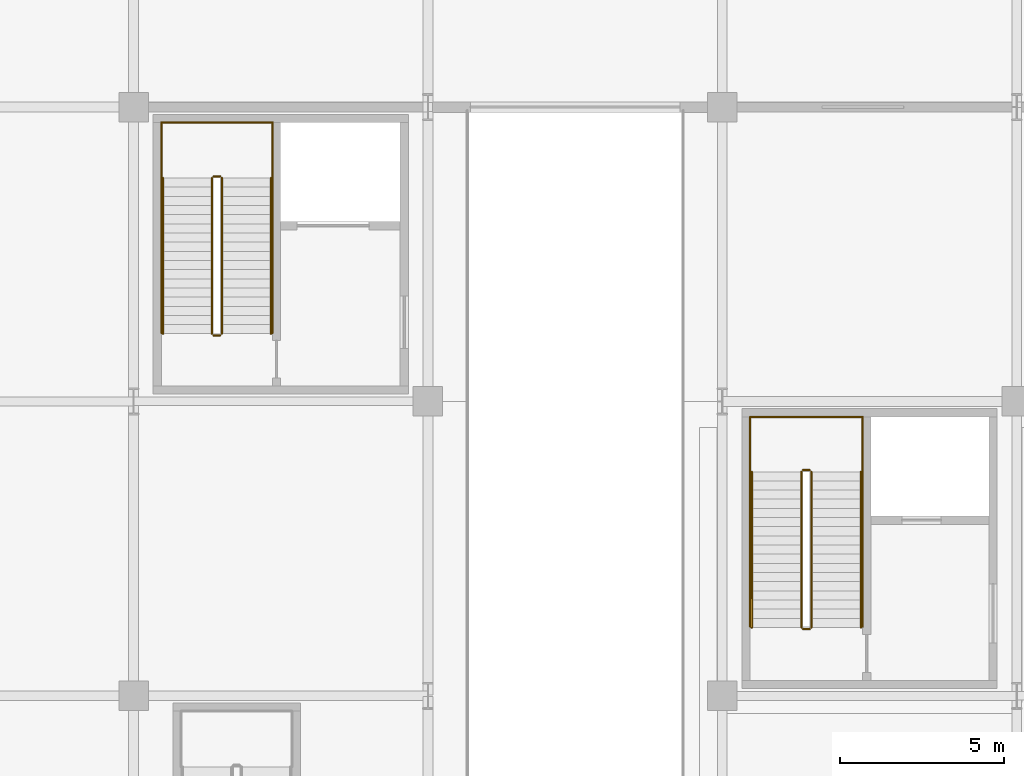
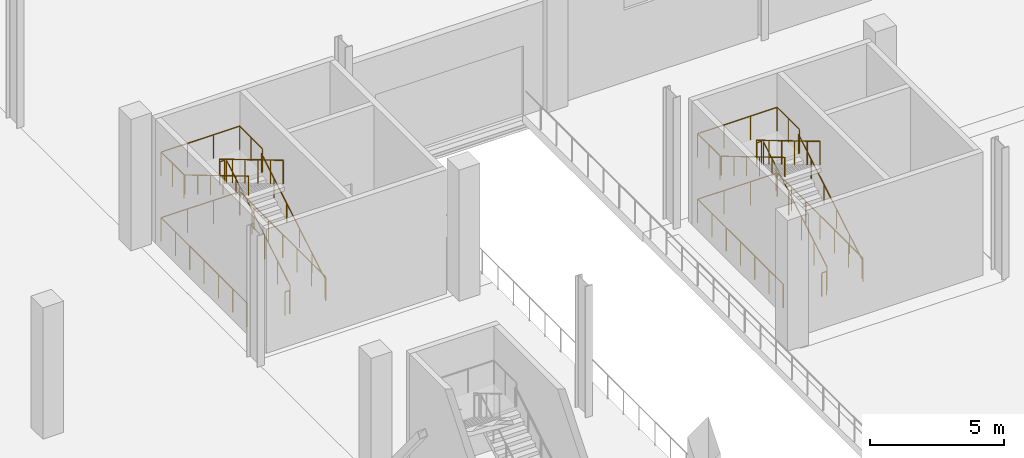
# One storey, part 54 of 58: 24 railings.
"""IFC4 building model written with IfcOpenShell, lengths in metres."""

from ifc_helpers import new_model, si_unit, direction, frame, origin, origin_2d, place, context, subcontext, project, spatial, circle, extrude, material, type_object, element, save


model = new_model("IFC4")

# Units and contexts
model_context = context("Model", 3, precision=1e-05, world=origin(), true_north=direction((0.0, 1.0)))
body_context = subcontext(model_context, "Body", "Model", "MODEL_VIEW")
ifc_project = project(units=[si_unit("LENGTHUNIT", "METRE"), si_unit("AREAUNIT", "SQUARE_METRE"), si_unit("VOLUMEUNIT", "CUBIC_METRE"), si_unit("PLANEANGLEUNIT", "RADIAN"), si_unit("MASSUNIT", "GRAM", prefix="KILO")], contexts=[model_context])

# Site, building, storey
site_placement = place(None, origin())
site = spatial("IfcSite", under=ifc_project, at=site_placement, CompositionType="ELEMENT")
building_placement = place(site_placement, origin())
building = spatial("IfcBuilding", under=site, at=building_placement, Name="Barlavento Convention Centre", CompositionType="ELEMENT")
storey_placement = place(building_placement, origin())
storey = spatial("IfcBuildingStorey", under=building, at=storey_placement, Name="L00", CompositionType="ELEMENT", Elevation=0.0)

# Railings
ifc_material_1 = material(Name="Stainless steel and laminated glass balustrade", Category="steel")
railing_type_1 = type_object("IfcRailingType", Name="ARC-RAL-BAL-1100", PredefinedType="BALUSTRADE", material=ifc_material_1)
railing_1_placement = place(storey_placement, frame((146.719970703125, 92.090087890625, 0.166748046875)))
element("IfcRailing", 1, at=railing_1_placement, inside=storey, type_object=railing_type_1, Name="L00 ST09 stair guard 1", PredefinedType="BALUSTRADE", context=body_context, shape_type="SweptSolid", body=[
    extrude(circle(Radius=0.02392578125, at=origin_2d()), frame((0.0, 0.0, 1.076171875), z_axis=(0.0, 0.859299802514, 0.511472237174), x_axis=(-1.0, 0.0, 0.0)), (0.0, 0.0, 1.0), 5.539306640625),
    extrude(circle(Radius=0.02099609375, at=origin_2d()), origin(), (0.0, 0.0, 1.0), 1.052001953125),
    extrude(circle(Radius=0.02099609375, at=origin_2d()), frame((0.0, 0.951904296875, 0.566650390625)), (0.0, 0.0, 1.0), 1.052001953125),
    extrude(circle(Radius=0.02099609375, at=origin_2d()), frame((0.0, 1.904052734375, 1.13330078125)), (0.0, 0.0, 1.0), 1.052001953125),
    extrude(circle(Radius=0.02099609375, at=origin_2d()), frame((0.0, 2.85595703125, 1.699951171875)), (0.0, 0.0, 1.0), 1.052001953125),
    extrude(circle(Radius=0.02099609375, at=origin_2d()), frame((0.0, 3.80810546875, 2.2666015625)), (0.0, 0.0, 1.0), 1.052001953125),
    extrude(circle(Radius=0.02099609375, at=origin_2d()), frame((0.0, 4.760009765625, 2.833251953125)), (0.0, 0.0, 1.0), 1.052001953125),
])
railing_2_placement = place(storey_placement, frame((146.669921875, 96.89990234375, 3.0)))
element("IfcRailing", 2, at=railing_2_placement, inside=storey, type_object=railing_type_1, Name="L00 ST09 stair guard 2", PredefinedType="BALUSTRADE", context=body_context, shape_type="SweptSolid", body=[
    extrude(circle(Radius=0.02392578125, at=origin_2d()), frame((0.0, 0.0, 1.076171875), z_axis=(-1.0, 0.0, 0.0), x_axis=(0.0, -1.0, 0.0)), (0.0, 0.0, 1.0), 0.199951171875),
    extrude(circle(Radius=0.02099609375, at=origin_2d()), origin(), (0.0, 0.0, 1.0), 1.052001953125),
    extrude(circle(Radius=0.02099609375, at=origin_2d()), frame((-0.199951171875, 0.0, 0.0)), (0.0, 0.0, 1.0), 1.052001953125),
])
railing_3_placement = place(storey_placement, frame((146.419921875, 96.85009765625, 3.166748046875)))
element("IfcRailing", 3, at=railing_3_placement, inside=storey, type_object=railing_type_1, Name="L00 ST09 stair guard 3", PredefinedType="BALUSTRADE", context=body_context, shape_type="SweptSolid", body=[
    extrude(circle(Radius=0.02392578125, at=origin_2d()), frame((0.0, 0.0, 1.076171875), z_axis=(0.0, -0.859299802514, 0.511472237174), x_axis=(1.0, 0.0, 0.0)), (0.0, 0.0, 1.0), 5.539306640625),
    extrude(circle(Radius=0.02099609375, at=origin_2d()), origin(), (0.0, 0.0, 1.0), 1.052001953125),
    extrude(circle(Radius=0.02099609375, at=origin_2d()), frame((0.0, -0.951904296875, 0.566650390625)), (0.0, 0.0, 1.0), 1.052001953125),
    extrude(circle(Radius=0.02099609375, at=origin_2d()), frame((0.0, -1.904052734375, 1.13330078125)), (0.0, 0.0, 1.0), 1.052001953125),
    extrude(circle(Radius=0.02099609375, at=origin_2d()), frame((0.0, -2.85595703125, 1.699951171875)), (0.0, 0.0, 1.0), 1.052001953125),
    extrude(circle(Radius=0.02099609375, at=origin_2d()), frame((0.0, -3.80810546875, 2.2666015625)), (0.0, 0.0, 1.0), 1.052001953125),
    extrude(circle(Radius=0.02099609375, at=origin_2d()), frame((0.0, -4.760009765625, 2.833251953125)), (0.0, 0.0, 1.0), 1.052001953125),
])
railing_4_placement = place(storey_placement, frame((146.669921875, 92.0400390625, 0.0)))
element("IfcRailing", 4, at=railing_4_placement, inside=storey, type_object=railing_type_1, Name="L00 ST09 stair guard 4", PredefinedType="BALUSTRADE", context=body_context, shape_type="SweptSolid", body=[
    extrude(circle(Radius=0.02392578125, at=origin_2d()), frame((0.0, 0.0, 1.076171875), z_axis=(-1.0, 0.0, 0.0), x_axis=(0.0, -1.0, 0.0)), (0.0, 0.0, 1.0), 0.199951171875),
    extrude(circle(Radius=0.02099609375, at=origin_2d()), origin(), (0.0, 0.0, 1.0), 1.052001953125),
    extrude(circle(Radius=0.02099609375, at=origin_2d()), frame((-0.199951171875, 0.0, 0.0)), (0.0, 0.0, 1.0), 1.052001953125),
])
for number, where, name in (
    (5, (148.2900390625, 96.85009765625, 3.0), "L00 landing guard GR01"),
    (6, (144.85009765625, 96.85009765625, 3.0), "L00 landing guard GR01"),
):
    element("IfcRailing", number, at=place(storey_placement, frame(where)), inside=storey, type_object=railing_type_1, Name=name, PredefinedType="BALUSTRADE", context=body_context, shape_type="SweptSolid", body=[
        extrude(circle(Radius=0.02392578125, at=origin_2d()), frame((0.0, 0.0, 1.076171875), z_axis=(0.0, 1.0, 0.0), x_axis=(-1.0, 0.0, 0.0)), (0.0, 0.0, 1.0), 1.679931640625),
        extrude(circle(Radius=0.02099609375, at=origin_2d()), origin(), (0.0, 0.0, 1.0), 1.052001953125),
        extrude(circle(Radius=0.02099609375, at=origin_2d()), frame((0.0, 0.83984375, 0.0)), (0.0, 0.0, 1.0), 1.052001953125),
        extrude(circle(Radius=0.02099609375, at=origin_2d()), frame((0.0, 1.679931640625, 0.0)), (0.0, 0.0, 1.0), 1.052001953125),
    ])
railing_5_placement = place(storey_placement, frame((148.2900390625, 98.530029296875, 3.0)))
element("IfcRailing", 7, at=railing_5_placement, inside=storey, type_object=railing_type_1, Name="L00 landing guard GR01", PredefinedType="BALUSTRADE", context=body_context, shape_type="SweptSolid", body=[
    extrude(circle(Radius=0.02392578125, at=origin_2d()), frame((0.0, 0.0, 1.076171875), z_axis=(-1.0, 0.0, 0.0), x_axis=(0.0, -1.0, 0.0)), (0.0, 0.0, 1.0), 3.43994140625),
    extrude(circle(Radius=0.02099609375, at=origin_2d()), origin(), (0.0, 0.0, 1.0), 1.052001953125),
    extrude(circle(Radius=0.02099609375, at=origin_2d()), frame((-1.146728515625, 0.0, 0.0)), (0.0, 0.0, 1.0), 1.052001953125),
    extrude(circle(Radius=0.02099609375, at=origin_2d()), frame((-2.293212890625, 0.0, 0.0)), (0.0, 0.0, 1.0), 1.052001953125),
    extrude(circle(Radius=0.02099609375, at=origin_2d()), frame((-3.43994140625, 0.0, 0.0)), (0.0, 0.0, 1.0), 1.052001953125),
])
railing_6_placement = place(storey_placement, frame((148.2900390625, 92.114990234375, 0.0)))
element("IfcRailing", 8, at=railing_6_placement, inside=storey, type_object=railing_type_1, Name="L00 stairwell perimeter guard GR01", PredefinedType="BALUSTRADE", context=body_context, shape_type="SweptSolid", body=[
    extrude(circle(Radius=0.02392578125, at=origin_2d()), frame((0.0, 0.0, 1.076171875), z_axis=(0.0, 1.0, 0.0), x_axis=(-1.0, 0.0, 0.0)), (0.0, 0.0, 1.0), 6.4150390625),
    extrude(circle(Radius=0.02099609375, at=origin_2d()), origin(), (0.0, 0.0, 1.0), 1.052001953125),
    extrude(circle(Radius=0.02099609375, at=origin_2d()), frame((0.0, 1.069091796875, 0.0)), (0.0, 0.0, 1.0), 1.052001953125),
    extrude(circle(Radius=0.02099609375, at=origin_2d()), frame((0.0, 2.138427734375, 0.0)), (0.0, 0.0, 1.0), 1.052001953125),
    extrude(circle(Radius=0.02099609375, at=origin_2d()), frame((0.0, 3.20751953125, 0.0)), (0.0, 0.0, 1.0), 1.052001953125),
    extrude(circle(Radius=0.02099609375, at=origin_2d()), frame((0.0, 4.276611328125, 0.0)), (0.0, 0.0, 1.0), 1.052001953125),
    extrude(circle(Radius=0.02099609375, at=origin_2d()), frame((0.0, 5.345947265625, 0.0)), (0.0, 0.0, 1.0), 1.052001953125),
    extrude(circle(Radius=0.02099609375, at=origin_2d()), frame((0.0, 6.4150390625, 0.0)), (0.0, 0.0, 1.0), 1.052001953125),
])
railing_7_placement = place(storey_placement, frame((148.2900390625, 98.530029296875, 0.0)))
element("IfcRailing", 9, at=railing_7_placement, inside=storey, type_object=railing_type_1, Name="L00 stairwell perimeter guard GR01", PredefinedType="BALUSTRADE", context=body_context, shape_type="SweptSolid", body=[
    extrude(circle(Radius=0.02392578125, at=origin_2d()), frame((0.0, 0.0, 1.076171875), z_axis=(-1.0, 0.0, 0.0), x_axis=(0.0, -1.0, 0.0)), (0.0, 0.0, 1.0), 3.43994140625),
    extrude(circle(Radius=0.02099609375, at=origin_2d()), origin(), (0.0, 0.0, 1.0), 1.052001953125),
    extrude(circle(Radius=0.02099609375, at=origin_2d()), frame((-1.146728515625, 0.0, 0.0)), (0.0, 0.0, 1.0), 1.052001953125),
    extrude(circle(Radius=0.02099609375, at=origin_2d()), frame((-2.293212890625, 0.0, 0.0)), (0.0, 0.0, 1.0), 1.052001953125),
    extrude(circle(Radius=0.02099609375, at=origin_2d()), frame((-3.43994140625, 0.0, 0.0)), (0.0, 0.0, 1.0), 1.052001953125),
])
railing_8_placement = place(storey_placement, frame((144.85009765625, 98.530029296875, 0.0)))
element("IfcRailing", 10, at=railing_8_placement, inside=storey, type_object=railing_type_1, Name="L00 stairwell perimeter guard GR01", PredefinedType="BALUSTRADE", context=body_context, shape_type="SweptSolid", body=[
    extrude(circle(Radius=0.02392578125, at=origin_2d()), frame((0.0, 0.0, 1.076171875), z_axis=(0.0, -1.0, 0.0), x_axis=(1.0, 0.0, 0.0)), (0.0, 0.0, 1.0), 6.4150390625),
    extrude(circle(Radius=0.02099609375, at=origin_2d()), origin(), (0.0, 0.0, 1.0), 1.052001953125),
    extrude(circle(Radius=0.02099609375, at=origin_2d()), frame((0.0, -1.069091796875, 0.0)), (0.0, 0.0, 1.0), 1.052001953125),
    extrude(circle(Radius=0.02099609375, at=origin_2d()), frame((0.0, -2.138427734375, 0.0)), (0.0, 0.0, 1.0), 1.052001953125),
    extrude(circle(Radius=0.02099609375, at=origin_2d()), frame((0.0, -3.20751953125, 0.0)), (0.0, 0.0, 1.0), 1.052001953125),
    extrude(circle(Radius=0.02099609375, at=origin_2d()), frame((0.0, -4.276611328125, 0.0)), (0.0, 0.0, 1.0), 1.052001953125),
    extrude(circle(Radius=0.02099609375, at=origin_2d()), frame((0.0, -5.345947265625, 0.0)), (0.0, 0.0, 1.0), 1.052001953125),
    extrude(circle(Radius=0.02099609375, at=origin_2d()), frame((0.0, -6.4150390625, 0.0)), (0.0, 0.0, 1.0), 1.052001953125),
])
railing_9_placement = place(storey_placement, frame((128.699951171875, 101.070068359375, 0.166748046875)))
element("IfcRailing", 11, at=railing_9_placement, inside=storey, type_object=railing_type_1, Name="L00 ST10 stair guard 1", PredefinedType="BALUSTRADE", context=body_context, shape_type="SweptSolid", body=[
    extrude(circle(Radius=0.02392578125, at=origin_2d()), frame((0.0, 0.0, 1.076171875), z_axis=(0.0, 0.859299802514, 0.511472237174), x_axis=(-1.0, 0.0, 0.0)), (0.0, 0.0, 1.0), 5.539306640625),
    extrude(circle(Radius=0.02099609375, at=origin_2d()), origin(), (0.0, 0.0, 1.0), 1.052001953125),
    extrude(circle(Radius=0.02099609375, at=origin_2d()), frame((0.0, 0.951904296875, 0.566650390625)), (0.0, 0.0, 1.0), 1.052001953125),
    extrude(circle(Radius=0.02099609375, at=origin_2d()), frame((0.0, 1.904052734375, 1.13330078125)), (0.0, 0.0, 1.0), 1.052001953125),
    extrude(circle(Radius=0.02099609375, at=origin_2d()), frame((0.0, 2.85595703125, 1.699951171875)), (0.0, 0.0, 1.0), 1.052001953125),
    extrude(circle(Radius=0.02099609375, at=origin_2d()), frame((0.0, 3.80810546875, 2.2666015625)), (0.0, 0.0, 1.0), 1.052001953125),
    extrude(circle(Radius=0.02099609375, at=origin_2d()), frame((0.0, 4.760009765625, 2.833251953125)), (0.0, 0.0, 1.0), 1.052001953125),
])
railing_10_placement = place(storey_placement, frame((128.64990234375, 105.8798828125, 3.0)))
element("IfcRailing", 12, at=railing_10_placement, inside=storey, type_object=railing_type_1, Name="L00 ST10 stair guard 2", PredefinedType="BALUSTRADE", context=body_context, shape_type="SweptSolid", body=[
    extrude(circle(Radius=0.02392578125, at=origin_2d()), frame((0.0, 0.0, 1.076171875), z_axis=(-1.0, 0.0, 0.0), x_axis=(0.0, -1.0, 0.0)), (0.0, 0.0, 1.0), 0.199951171875),
    extrude(circle(Radius=0.02099609375, at=origin_2d()), origin(), (0.0, 0.0, 1.0), 1.052001953125),
    extrude(circle(Radius=0.02099609375, at=origin_2d()), frame((-0.199951171875, 0.0, 0.0)), (0.0, 0.0, 1.0), 1.052001953125),
])
railing_11_placement = place(storey_placement, frame((128.39990234375, 105.830078125, 3.166748046875)))
element("IfcRailing", 13, at=railing_11_placement, inside=storey, type_object=railing_type_1, Name="L00 ST10 stair guard 3", PredefinedType="BALUSTRADE", context=body_context, shape_type="SweptSolid", body=[
    extrude(circle(Radius=0.02392578125, at=origin_2d()), frame((0.0, 0.0, 1.076171875), z_axis=(0.0, -0.859299802514, 0.511472237174), x_axis=(1.0, 0.0, 0.0)), (0.0, 0.0, 1.0), 5.539306640625),
    extrude(circle(Radius=0.02099609375, at=origin_2d()), origin(), (0.0, 0.0, 1.0), 1.052001953125),
    extrude(circle(Radius=0.02099609375, at=origin_2d()), frame((0.0, -0.951904296875, 0.566650390625)), (0.0, 0.0, 1.0), 1.052001953125),
    extrude(circle(Radius=0.02099609375, at=origin_2d()), frame((0.0, -1.904052734375, 1.13330078125)), (0.0, 0.0, 1.0), 1.052001953125),
    extrude(circle(Radius=0.02099609375, at=origin_2d()), frame((0.0, -2.85595703125, 1.699951171875)), (0.0, 0.0, 1.0), 1.052001953125),
    extrude(circle(Radius=0.02099609375, at=origin_2d()), frame((0.0, -3.80810546875, 2.2666015625)), (0.0, 0.0, 1.0), 1.052001953125),
    extrude(circle(Radius=0.02099609375, at=origin_2d()), frame((0.0, -4.760009765625, 2.833251953125)), (0.0, 0.0, 1.0), 1.052001953125),
])
railing_12_placement = place(storey_placement, frame((128.64990234375, 101.02001953125, 0.0)))
element("IfcRailing", 14, at=railing_12_placement, inside=storey, type_object=railing_type_1, Name="L00 ST10 stair guard 4", PredefinedType="BALUSTRADE", context=body_context, shape_type="SweptSolid", body=[
    extrude(circle(Radius=0.02392578125, at=origin_2d()), frame((0.0, 0.0, 1.076171875), z_axis=(-1.0, 0.0, 0.0), x_axis=(0.0, -1.0, 0.0)), (0.0, 0.0, 1.0), 0.199951171875),
    extrude(circle(Radius=0.02099609375, at=origin_2d()), origin(), (0.0, 0.0, 1.0), 1.052001953125),
    extrude(circle(Radius=0.02099609375, at=origin_2d()), frame((-0.199951171875, 0.0, 0.0)), (0.0, 0.0, 1.0), 1.052001953125),
])
for number, where, name in (
    (15, (130.25, 105.830078125, 3.0), "L00 landing guard GR01"),
    (16, (126.85009765625, 105.830078125, 3.0), "L00 landing guard GR01"),
):
    element("IfcRailing", number, at=place(storey_placement, frame(where)), inside=storey, type_object=railing_type_1, Name=name, PredefinedType="BALUSTRADE", context=body_context, shape_type="SweptSolid", body=[
        extrude(circle(Radius=0.02392578125, at=origin_2d()), frame((0.0, 0.0, 1.076171875), z_axis=(0.0, 1.0, 0.0), x_axis=(-1.0, 0.0, 0.0)), (0.0, 0.0, 1.0), 1.699951171875),
        extrude(circle(Radius=0.02099609375, at=origin_2d()), origin(), (0.0, 0.0, 1.0), 1.052001953125),
        extrude(circle(Radius=0.02099609375, at=origin_2d()), frame((0.0, 0.85009765625, 0.0)), (0.0, 0.0, 1.0), 1.052001953125),
        extrude(circle(Radius=0.02099609375, at=origin_2d()), frame((0.0, 1.699951171875, 0.0)), (0.0, 0.0, 1.0), 1.052001953125),
    ])
railing_13_placement = place(storey_placement, frame((130.25, 107.530029296875, 3.0)))
element("IfcRailing", 17, at=railing_13_placement, inside=storey, type_object=railing_type_1, Name="L00 landing guard GR01", PredefinedType="BALUSTRADE", context=body_context, shape_type="SweptSolid", body=[
    extrude(circle(Radius=0.02392578125, at=origin_2d()), frame((0.0, 0.0, 1.076171875), z_axis=(-1.0, 0.0, 0.0), x_axis=(0.0, -1.0, 0.0)), (0.0, 0.0, 1.0), 3.39990234375),
    extrude(circle(Radius=0.02099609375, at=origin_2d()), origin(), (0.0, 0.0, 1.0), 1.052001953125),
    extrude(circle(Radius=0.02099609375, at=origin_2d()), frame((-1.13330078125, 0.0, 0.0)), (0.0, 0.0, 1.0), 1.052001953125),
    extrude(circle(Radius=0.02099609375, at=origin_2d()), frame((-2.2666015625, 0.0, 0.0)), (0.0, 0.0, 1.0), 1.052001953125),
    extrude(circle(Radius=0.02099609375, at=origin_2d()), frame((-3.39990234375, 0.0, 0.0)), (0.0, 0.0, 1.0), 1.052001953125),
])
railing_14_placement = place(storey_placement, frame((130.25, 101.094970703125, 0.0)))
element("IfcRailing", 18, at=railing_14_placement, inside=storey, type_object=railing_type_1, Name="L00 stairwell perimeter guard GR01", PredefinedType="BALUSTRADE", context=body_context, shape_type="SweptSolid", body=[
    extrude(circle(Radius=0.02392578125, at=origin_2d()), frame((0.0, 0.0, 1.076171875), z_axis=(0.0, 1.0, 0.0), x_axis=(-1.0, 0.0, 0.0)), (0.0, 0.0, 1.0), 6.43505859375),
    extrude(circle(Radius=0.02099609375, at=origin_2d()), origin(), (0.0, 0.0, 1.0), 1.052001953125),
    extrude(circle(Radius=0.02099609375, at=origin_2d()), frame((0.0, 1.072509765625, 0.0)), (0.0, 0.0, 1.0), 1.052001953125),
    extrude(circle(Radius=0.02099609375, at=origin_2d()), frame((0.0, 2.14501953125, 0.0)), (0.0, 0.0, 1.0), 1.052001953125),
    extrude(circle(Radius=0.02099609375, at=origin_2d()), frame((0.0, 3.217529296875, 0.0)), (0.0, 0.0, 1.0), 1.052001953125),
    extrude(circle(Radius=0.02099609375, at=origin_2d()), frame((0.0, 4.2900390625, 0.0)), (0.0, 0.0, 1.0), 1.052001953125),
    extrude(circle(Radius=0.02099609375, at=origin_2d()), frame((0.0, 5.362548828125, 0.0)), (0.0, 0.0, 1.0), 1.052001953125),
    extrude(circle(Radius=0.02099609375, at=origin_2d()), frame((0.0, 6.43505859375, 0.0)), (0.0, 0.0, 1.0), 1.052001953125),
])
railing_15_placement = place(storey_placement, frame((130.25, 107.530029296875, 0.0)))
element("IfcRailing", 19, at=railing_15_placement, inside=storey, type_object=railing_type_1, Name="L00 stairwell perimeter guard GR01", PredefinedType="BALUSTRADE", context=body_context, shape_type="SweptSolid", body=[
    extrude(circle(Radius=0.02392578125, at=origin_2d()), frame((0.0, 0.0, 1.076171875), z_axis=(-1.0, 0.0, 0.0), x_axis=(0.0, -1.0, 0.0)), (0.0, 0.0, 1.0), 3.39990234375),
    extrude(circle(Radius=0.02099609375, at=origin_2d()), origin(), (0.0, 0.0, 1.0), 1.052001953125),
    extrude(circle(Radius=0.02099609375, at=origin_2d()), frame((-1.13330078125, 0.0, 0.0)), (0.0, 0.0, 1.0), 1.052001953125),
    extrude(circle(Radius=0.02099609375, at=origin_2d()), frame((-2.2666015625, 0.0, 0.0)), (0.0, 0.0, 1.0), 1.052001953125),
    extrude(circle(Radius=0.02099609375, at=origin_2d()), frame((-3.39990234375, 0.0, 0.0)), (0.0, 0.0, 1.0), 1.052001953125),
])
railing_16_placement = place(storey_placement, frame((126.85009765625, 107.530029296875, 0.0)))
element("IfcRailing", 20, at=railing_16_placement, inside=storey, type_object=railing_type_1, Name="L00 stairwell perimeter guard GR01", PredefinedType="BALUSTRADE", context=body_context, shape_type="SweptSolid", body=[
    extrude(circle(Radius=0.02392578125, at=origin_2d()), frame((0.0, 0.0, 1.076171875), z_axis=(0.0, -1.0, 0.0), x_axis=(1.0, 0.0, 0.0)), (0.0, 0.0, 1.0), 6.43505859375),
    extrude(circle(Radius=0.02099609375, at=origin_2d()), origin(), (0.0, 0.0, 1.0), 1.052001953125),
    extrude(circle(Radius=0.02099609375, at=origin_2d()), frame((0.0, -1.072509765625, 0.0)), (0.0, 0.0, 1.0), 1.052001953125),
    extrude(circle(Radius=0.02099609375, at=origin_2d()), frame((0.0, -2.14501953125, 0.0)), (0.0, 0.0, 1.0), 1.052001953125),
    extrude(circle(Radius=0.02099609375, at=origin_2d()), frame((0.0, -3.217529296875, 0.0)), (0.0, 0.0, 1.0), 1.052001953125),
    extrude(circle(Radius=0.02099609375, at=origin_2d()), frame((0.0, -4.2900390625, 0.0)), (0.0, 0.0, 1.0), 1.052001953125),
    extrude(circle(Radius=0.02099609375, at=origin_2d()), frame((0.0, -5.362548828125, 0.0)), (0.0, 0.0, 1.0), 1.052001953125),
    extrude(circle(Radius=0.02099609375, at=origin_2d()), frame((0.0, -6.43505859375, 0.0)), (0.0, 0.0, 1.0), 1.052001953125),
])
ifc_material_2 = material(Name="Brushed stainless steel tubular handrail", Category="steel")
railing_type_2 = type_object("IfcRailingType", Name="ARC-RAL-HR-900", PredefinedType="HANDRAIL", material=ifc_material_2)
railing_17_placement = place(storey_placement, frame((148.239990234375, 92.090087890625, 0.166748046875)))
element("IfcRailing", 21, at=railing_17_placement, inside=storey, type_object=railing_type_2, Name="L00 ST09 stair handrail 1", PredefinedType="HANDRAIL", context=body_context, shape_type="SweptSolid", body=[
    extrude(circle(Radius=0.02392578125, at=origin_2d()), frame((0.0, 0.0, 0.8759765625), z_axis=(0.0, 0.859299802514, 0.511472237174), x_axis=(-1.0, 0.0, 0.0)), (0.0, 0.0, 1.0), 5.539306640625),
    extrude(circle(Radius=0.02099609375, at=origin_2d()), origin(), (0.0, 0.0, 1.0), 0.851806640625),
    extrude(circle(Radius=0.02099609375, at=origin_2d()), frame((0.0, 0.951904296875, 0.566650390625)), (0.0, 0.0, 1.0), 0.851806640625),
    extrude(circle(Radius=0.02099609375, at=origin_2d()), frame((0.0, 1.904052734375, 1.13330078125)), (0.0, 0.0, 1.0), 0.851806640625),
    extrude(circle(Radius=0.02099609375, at=origin_2d()), frame((0.0, 2.85595703125, 1.699951171875)), (0.0, 0.0, 1.0), 0.851806640625),
    extrude(circle(Radius=0.02099609375, at=origin_2d()), frame((0.0, 3.80810546875, 2.2666015625)), (0.0, 0.0, 1.0), 0.851806640625),
    extrude(circle(Radius=0.02099609375, at=origin_2d()), frame((0.0, 4.760009765625, 2.833251953125)), (0.0, 0.0, 1.0), 0.851806640625),
])
railing_18_placement = place(storey_placement, frame((144.89990234375, 96.85009765625, 3.166748046875)))
element("IfcRailing", 22, at=railing_18_placement, inside=storey, type_object=railing_type_2, Name="L00 ST09 stair handrail 2", PredefinedType="HANDRAIL", context=body_context, shape_type="SweptSolid", body=[
    extrude(circle(Radius=0.02392578125, at=origin_2d()), frame((0.0, 0.0, 0.8759765625), z_axis=(0.0, -0.859299802514, 0.511472237174), x_axis=(1.0, 0.0, 0.0)), (0.0, 0.0, 1.0), 5.539306640625),
    extrude(circle(Radius=0.02099609375, at=origin_2d()), origin(), (0.0, 0.0, 1.0), 0.851806640625),
    extrude(circle(Radius=0.02099609375, at=origin_2d()), frame((0.0, -0.951904296875, 0.566650390625)), (0.0, 0.0, 1.0), 0.851806640625),
    extrude(circle(Radius=0.02099609375, at=origin_2d()), frame((0.0, -1.904052734375, 1.13330078125)), (0.0, 0.0, 1.0), 0.851806640625),
    extrude(circle(Radius=0.02099609375, at=origin_2d()), frame((0.0, -2.85595703125, 1.699951171875)), (0.0, 0.0, 1.0), 0.851806640625),
    extrude(circle(Radius=0.02099609375, at=origin_2d()), frame((0.0, -3.80810546875, 2.2666015625)), (0.0, 0.0, 1.0), 0.851806640625),
    extrude(circle(Radius=0.02099609375, at=origin_2d()), frame((0.0, -4.760009765625, 2.833251953125)), (0.0, 0.0, 1.0), 0.851806640625),
])
railing_19_placement = place(storey_placement, frame((130.199951171875, 101.070068359375, 0.166748046875)))
element("IfcRailing", 23, at=railing_19_placement, inside=storey, type_object=railing_type_2, Name="L00 ST10 stair handrail 1", PredefinedType="HANDRAIL", context=body_context, shape_type="SweptSolid", body=[
    extrude(circle(Radius=0.02392578125, at=origin_2d()), frame((0.0, 0.0, 0.8759765625), z_axis=(0.0, 0.859299802514, 0.511472237174), x_axis=(-1.0, 0.0, 0.0)), (0.0, 0.0, 1.0), 5.539306640625),
    extrude(circle(Radius=0.02099609375, at=origin_2d()), origin(), (0.0, 0.0, 1.0), 0.851806640625),
    extrude(circle(Radius=0.02099609375, at=origin_2d()), frame((0.0, 0.951904296875, 0.566650390625)), (0.0, 0.0, 1.0), 0.851806640625),
    extrude(circle(Radius=0.02099609375, at=origin_2d()), frame((0.0, 1.904052734375, 1.13330078125)), (0.0, 0.0, 1.0), 0.851806640625),
    extrude(circle(Radius=0.02099609375, at=origin_2d()), frame((0.0, 2.85595703125, 1.699951171875)), (0.0, 0.0, 1.0), 0.851806640625),
    extrude(circle(Radius=0.02099609375, at=origin_2d()), frame((0.0, 3.80810546875, 2.2666015625)), (0.0, 0.0, 1.0), 0.851806640625),
    extrude(circle(Radius=0.02099609375, at=origin_2d()), frame((0.0, 4.760009765625, 2.833251953125)), (0.0, 0.0, 1.0), 0.851806640625),
])
railing_20_placement = place(storey_placement, frame((126.89990234375, 105.830078125, 3.166748046875)))
element("IfcRailing", 24, at=railing_20_placement, inside=storey, type_object=railing_type_2, Name="L00 ST10 stair handrail 2", PredefinedType="HANDRAIL", context=body_context, shape_type="SweptSolid", body=[
    extrude(circle(Radius=0.02392578125, at=origin_2d()), frame((0.0, 0.0, 0.8759765625), z_axis=(0.0, -0.859299802514, 0.511472237174), x_axis=(1.0, 0.0, 0.0)), (0.0, 0.0, 1.0), 5.539306640625),
    extrude(circle(Radius=0.02099609375, at=origin_2d()), origin(), (0.0, 0.0, 1.0), 0.851806640625),
    extrude(circle(Radius=0.02099609375, at=origin_2d()), frame((0.0, -0.951904296875, 0.566650390625)), (0.0, 0.0, 1.0), 0.851806640625),
    extrude(circle(Radius=0.02099609375, at=origin_2d()), frame((0.0, -1.904052734375, 1.13330078125)), (0.0, 0.0, 1.0), 0.851806640625),
    extrude(circle(Radius=0.02099609375, at=origin_2d()), frame((0.0, -2.85595703125, 1.699951171875)), (0.0, 0.0, 1.0), 0.851806640625),
    extrude(circle(Radius=0.02099609375, at=origin_2d()), frame((0.0, -3.80810546875, 2.2666015625)), (0.0, 0.0, 1.0), 0.851806640625),
    extrude(circle(Radius=0.02099609375, at=origin_2d()), frame((0.0, -4.760009765625, 2.833251953125)), (0.0, 0.0, 1.0), 0.851806640625),
])

save(model, "model.ifc")
